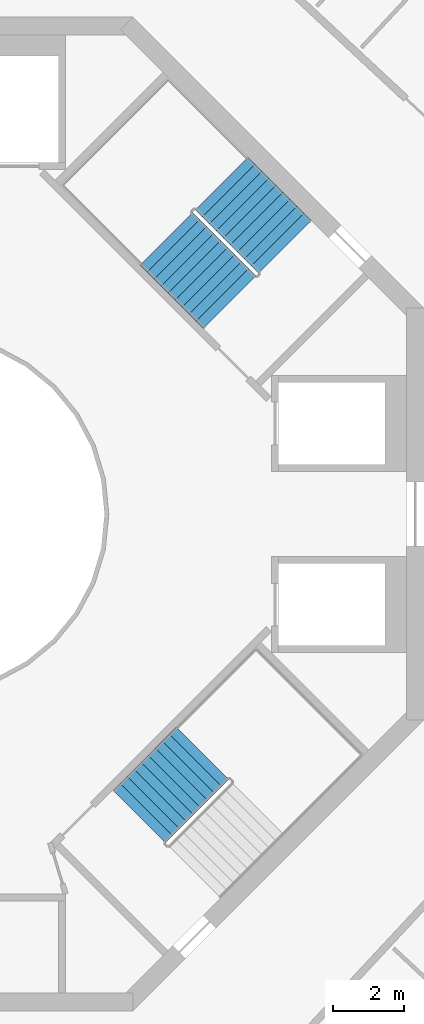
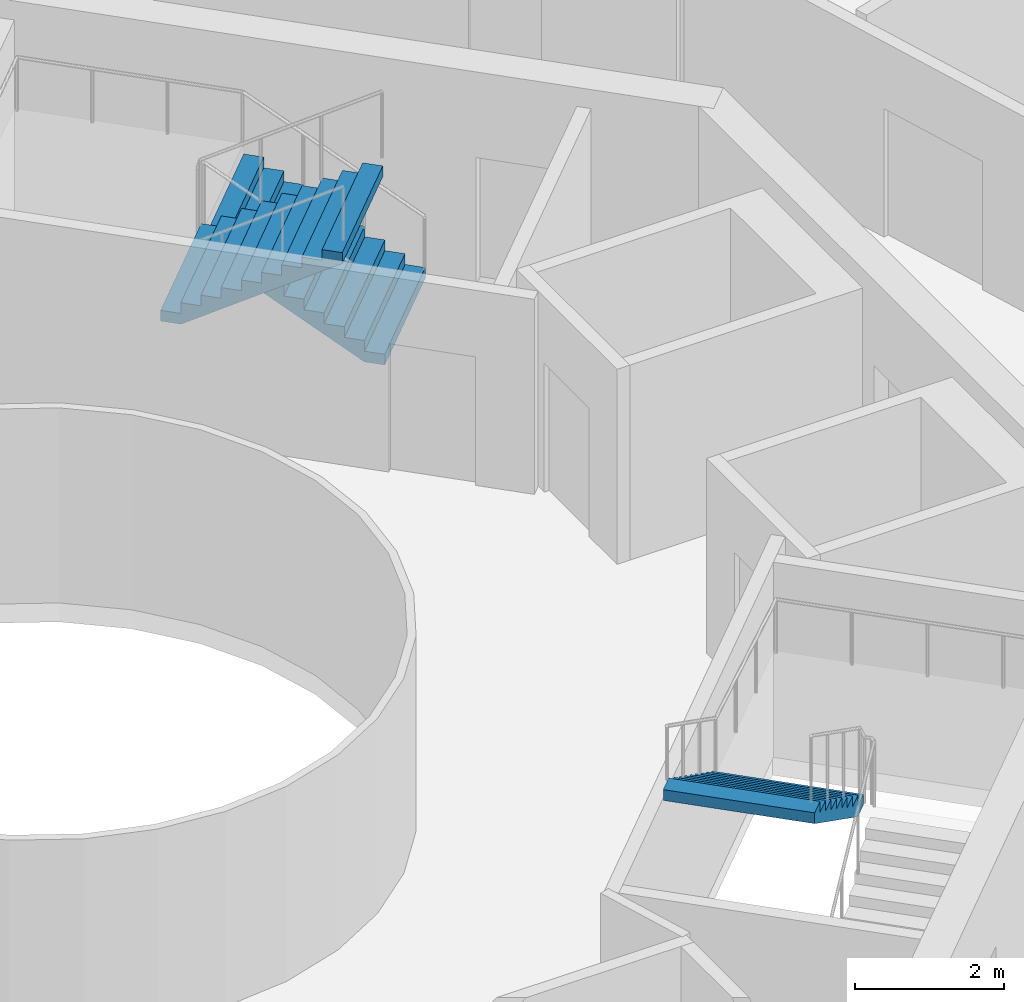
# One storey, part 20 of 21: 3 stair flights, 2 elements without a shape of their own.
"""IFC4 building model written with IfcOpenShell, lengths in metres."""

import ifcopenshell
import ifcopenshell.guid

model = None  # the IFC model being written
_history = None  # IfcOwnerHistory: only IFC2X3 demands one
_inside = {}  # id of a spatial element -> (the spatial element, [elements in it])
_under = {}  # id of a project, library or spatial element -> (it, [spatial elements below it])
_declared = {}  # id of a project -> (the project, [libraries it declares])
_typed = {}  # id of a type object -> (the type object, [elements of that type])
_made_of = {}  # id of a material, layer set ... -> (it, [elements and type objects made of it])


def new_model(schema):
    """Start an empty IFC model of exactly this schema.

    Asked for "IFC4X3", IfcOpenShell would pick the latest addendum, in which some entities
    have other attributes; the version numbers below select the first issue.
    IFC2X3 requires an IfcOwnerHistory on every rooted entity: one is made here for all.
    """
    global model, _history
    if schema == "IFC4X3":
        model = ifcopenshell.file(schema_version=(4, 3, 0, 0))
    else:
        model = ifcopenshell.file(schema=schema)
    _inside.clear()
    _under.clear()
    _declared.clear()
    _typed.clear()
    _made_of.clear()
    _history = None
    if model.schema == "IFC2X3":
        org = make("IfcOrganization", Name="unknown")
        user = make(
            "IfcPersonAndOrganization",
            ThePerson=make("IfcPerson", FamilyName="unknown"),
            TheOrganization=org,
        )
        app = make(
            "IfcApplication",
            ApplicationDeveloper=org,
            Version="unknown",
            ApplicationFullName="unknown",
            ApplicationIdentifier="unknown",
        )
        _history = make(
            "IfcOwnerHistory",
            OwningUser=user,
            OwningApplication=app,
            ChangeAction="ADDED",
            CreationDate=0,
        )
    return model


def make(cls, **values):
    """One entity of the class cls with the attributes given. An attribute that is None is left unset."""
    return model.create_entity(
        cls, **{name: value for name, value in values.items() if value is not None}
    )


def rooted(cls, **values):
    """An entity with a GlobalId (a new one), such as an element, a storey or a relation."""
    return make(cls, GlobalId=ifcopenshell.guid.new(), OwnerHistory=_history, **values)


def si_unit(unit_type, name, prefix=None):
    """IfcSIUnit, for example si_unit("LENGTHUNIT", "METRE", prefix="MILLI")."""
    return make("IfcSIUnit", UnitType=unit_type, Prefix=prefix, Name=name)


def assignment(units):
    """IfcUnitAssignment: the units of a project."""
    return None if units is None else make("IfcUnitAssignment", Units=units)


def point(xyz):
    """IfcCartesianPoint."""
    return None if xyz is None else make("IfcCartesianPoint", Coordinates=xyz)


def direction(xyz):
    """IfcDirection."""
    return None if xyz is None else make("IfcDirection", DirectionRatios=xyz)


def frame(location, z_axis=None, x_axis=None):
    """IfcAxis2Placement3D, a coordinate frame: its origin and axes. An axis left out is left unset."""
    return make(
        "IfcAxis2Placement3D",
        Location=point(location),
        Axis=direction(z_axis),
        RefDirection=direction(x_axis),
    )


def origin():
    """The frame at (0, 0, 0) with its axes left unset."""
    return frame((0.0, 0.0, 0.0))


def place(relative_to, where):
    """IfcLocalPlacement: puts the frame where relative to a parent placement (None: the world)."""
    return make(
        "IfcLocalPlacement", PlacementRelTo=relative_to, RelativePlacement=where
    )


def context(
    kind, dimensions, precision=None, world=None, true_north=None, identifier=None
):
    """IfcGeometricRepresentationContext, for example the 3D "Model" context."""
    return make(
        "IfcGeometricRepresentationContext",
        ContextIdentifier=identifier,
        ContextType=kind,
        CoordinateSpaceDimension=dimensions,
        Precision=precision,
        WorldCoordinateSystem=world,
        TrueNorth=true_north,
    )


def subcontext(parent, identifier, kind, view, scale=None):
    """IfcGeometricRepresentationSubContext, for example "Body" below "Model"."""
    return make(
        "IfcGeometricRepresentationSubContext",
        ContextIdentifier=identifier,
        ContextType=kind,
        ParentContext=parent,
        TargetScale=scale,
        TargetView=view,
    )


def project(units=None, contexts=None):
    """IfcProject with its units and contexts."""
    return rooted(
        "IfcProject",
        Name="project",
        RepresentationContexts=contexts,
        UnitsInContext=assignment(units),
    )


def spatial(cls, under=None, at=None, **own):
    """A site, building, storey or space (cls), placed at a placement, below another one or the project."""
    s = rooted(cls, ObjectPlacement=at, **own)
    if under is not None:
        _under.setdefault(under.id(), (under, []))[1].append(s)
    return s


def point_list(points):
    """IfcCartesianPointList2D or 3D."""
    cls = (
        "IfcCartesianPointList2D" if len(points[0]) == 2 else "IfcCartesianPointList3D"
    )
    return make(cls, CoordList=points)


def triangles(points, corners, closed=None, point_numbers=None):
    """IfcTriangulatedFaceSet: each triangle names its three corners, points numbered from 1."""
    return make(
        "IfcTriangulatedFaceSet",
        Coordinates=point_list(points),
        Closed=closed,
        CoordIndex=corners,
        PnIndex=point_numbers,
    )


def shape(context_of_items, identifier, shape_type, items):
    """IfcShapeRepresentation: the items that make up one representation, for example the "Body"."""
    return make(
        "IfcShapeRepresentation",
        ContextOfItems=context_of_items,
        RepresentationIdentifier=identifier,
        RepresentationType=shape_type,
        Items=items,
    )


def material(Name=None, Category=None):
    """IfcMaterial."""
    return make("IfcMaterial", Name=Name, Category=Category)


def made_of(thing, what):
    """Note that an element or type object is made of a material, layer set ...; save() writes the relation."""
    if what is not None:
        _made_of.setdefault(what.id(), (what, []))[1].append(thing)
    return thing


def type_object(cls, material=None, **own):
    """A type object (cls), such as IfcWallType, which elements share."""
    return made_of(rooted(cls, **own), material)


def element(
    cls,
    number,
    at=None,
    inside=None,
    cuts=None,
    type_object=None,
    material=None,
    context=None,
    identifier="Body",
    shape_type=None,
    held_by="IfcProductDefinitionShape",
    body=None,
    shapes=None,
    **own,
):
    """One element of the class cls, such as IfcWall. Its Tag is "e" and its number.

    at: its placement. inside: the storey or other place that contains it. cuts: it is an
    opening in that element (IfcRelVoidsElement). A single representation is given by context,
    identifier, shape_type and body (its items); several are given by shapes. held_by: the class
    of the entity that holds the representations. save() writes the other relations.
    """
    e = rooted(cls, Tag="e%d" % number, ObjectPlacement=at, **own)
    if body is not None:
        shapes = [shape(context, identifier, shape_type, body)]
    if shapes is not None:
        e.Representation = make(held_by, Representations=shapes)
    if inside is not None:
        _inside.setdefault(inside.id(), (inside, []))[1].append(e)
    if cuts is not None:
        rooted(
            "IfcRelVoidsElement", RelatingBuildingElement=cuts, RelatedOpeningElement=e
        )
    if type_object is not None:
        _typed.setdefault(type_object.id(), (type_object, []))[1].append(e)
    return made_of(e, material)


def aggregate(whole, parts):
    """IfcRelAggregates: a whole, such as a stair, and the parts it consists of."""
    return rooted("IfcRelAggregates", RelatingObject=whole, RelatedObjects=parts)


def save(model, path):
    """Write the relations noted so far, then the file.

    IfcRelAggregates (storeys below a building ...), IfcRelContainedInSpatialStructure (elements
    in a storey), IfcRelDefinesByType, IfcRelAssociatesMaterial and IfcRelDeclares: one each for
    every whole, place, type object, material and project.
    """
    for whole, parts in _under.values():
        aggregate(whole, parts)
    for where, things in _inside.values():
        rooted(
            "IfcRelContainedInSpatialStructure",
            RelatedElements=things,
            RelatingStructure=where,
        )
    for kind, things in _typed.values():
        rooted("IfcRelDefinesByType", RelatedObjects=things, RelatingType=kind)
    for what, things in _made_of.values():
        rooted("IfcRelAssociatesMaterial", RelatedObjects=things, RelatingMaterial=what)
    for by, libraries in _declared.values():
        rooted("IfcRelDeclares", RelatingContext=by, RelatedDefinitions=libraries)
    model.write(path)


model = new_model("IFC4")

# Units and contexts
model_context = context("Model", 3, precision=1e-05, world=origin(), true_north=direction((0.0, 1.0)))
body_context = subcontext(model_context, "Body", "Model", "MODEL_VIEW")
ifc_project = project(units=[si_unit("LENGTHUNIT", "METRE"), si_unit("AREAUNIT", "SQUARE_METRE"), si_unit("VOLUMEUNIT", "CUBIC_METRE"), si_unit("PLANEANGLEUNIT", "RADIAN"), si_unit("MASSUNIT", "GRAM", prefix="KILO")], contexts=[model_context])

# Site, building, storey
site_placement = place(None, origin())
site = spatial("IfcSite", under=ifc_project, at=site_placement, CompositionType="ELEMENT")
building_placement = place(site_placement, origin())
building = spatial("IfcBuilding", under=site, at=building_placement, Name="Verdalira Terraces Hotel", CompositionType="ELEMENT")
storey_placement = place(building_placement, frame((0.0, 0.0, 227.0)))
storey = spatial("IfcBuildingStorey", under=building, at=storey_placement, Name="L55", CompositionType="ELEMENT", Elevation=227.0)

# Stair, stair flights
ifc_material_1 = material(Name="Concrete C40", Category="concrete")
stair_type = type_object("IfcStairType", Name="Core stair 20 risers 2100 mm wide", PredefinedType="HALF_TURN_STAIR", material=ifc_material_1)
stair_1_placement = place(storey_placement, origin())
stair_1 = element("IfcStair", 1, at=stair_1_placement, inside=storey, type_object=stair_type, Name="L55 Exit stair ST1", PredefinedType="HALF_TURN_STAIR")
ifc_material_2 = material(Name="Concrete C40", Category="concrete")
stair_flight_type = type_object("IfcStairFlightType", Name="Core stair flight 20 risers 2100 mm wide", PredefinedType="STRAIGHT", material=ifc_material_2)
stair_flight_1_placement = place(storey_placement, frame((10.076172, 7.530762, 0.0), z_axis=(0.0, 0.0, 1.0), x_axis=(-0.707106781, 0.707106781, 0.0)))
stair_flight_1 = element("IfcStairFlight", 2, at=stair_flight_1_placement, type_object=stair_flight_type, Name="ST1 flight 1", NumberOfRisers=10, NumberOfTreads=9, PredefinedType="STRAIGHT", RiserHeight=0.175, TreadLength=0.28, context=body_context, shape_type="Tessellation", body=[
    triangles([(0.0, 1.050049, 0.0), (0.282715, 1.050049, 0.0), (2.52002, 1.050049, 1.398193), (0.0, -1.050049, 0.0), (0.282715, -1.050049, 0.0), (2.52002, -1.050049, 1.398193), (2.52002, 1.050049, 1.574951), (2.23999, 1.050049, 1.574951), (2.52002, -1.050049, 1.574951), (2.23999, -1.050049, 1.574951), (2.23999, 1.050049, 1.399902), (2.23999, -1.050049, 1.399902), (1.959961, 1.050049, 1.399902), (1.959961, -1.050049, 1.399902), (1.959961, 1.050049, 1.225098), (1.959961, -1.050049, 1.225098), (1.679932, 1.050049, 1.225098), (1.679932, 1.050049, 1.050049), (1.679932, -1.050049, 1.225098), (1.679932, -1.050049, 1.050049), (1.399902, 1.050049, 1.050049), (1.399902, 1.050049, 0.875), (1.399902, -1.050049, 1.050049), (1.399902, -1.050049, 0.875), (1.120117, 1.050049, 0.875), (1.120117, 1.050049, 0.699951), (1.120117, -1.050049, 0.875), (1.120117, -1.050049, 0.699951), (0.840088, 1.050049, 0.699951), (0.840088, 1.050049, 0.524902), (0.840088, -1.050049, 0.699951), (0.840088, -1.050049, 0.524902), (0.560059, 1.050049, 0.524902), (0.560059, 1.050049, 0.350098), (0.560059, -1.050049, 0.524902), (0.560059, -1.050049, 0.350098), (0.280029, 1.050049, 0.350098), (0.280029, 1.050049, 0.175049), (0.280029, -1.050049, 0.350098), (0.280029, -1.050049, 0.175049), (0.0, 1.050049, 0.175049), (0.0, -1.050049, 0.175049), (0.0, -0.984421, 0.0), (0.0, -0.984421, 0.175049), (0.0, -0.918793, 0.0), (0.0, -0.918793, 0.175049), (0.0, -0.853165, 0.0), (0.0, -0.853165, 0.175049), (0.0, -0.787537, 0.0), (0.0, -0.787537, 0.175049), (0.0, -0.721909, 0.0), (0.0, -0.721909, 0.175049), (0.0, -0.656281, 0.0), (0.0, -0.656281, 0.175049), (0.0, -0.590652, 0.0), (0.0, -0.590652, 0.175049), (0.0, -0.525024, 0.0), (0.0, -0.525024, 0.175049), (0.0, -0.459396, 0.0), (0.0, -0.459396, 0.175049), (0.0, -0.393768, 0.0), (0.0, -0.393768, 0.175049), (0.0, -0.32814, 0.0), (0.0, -0.32814, 0.175049), (0.0, -0.262512, 0.0), (0.0, -0.262512, 0.175049), (0.0, -0.196884, 0.0), (0.0, -0.196884, 0.175049), (0.0, -0.131256, 0.0), (0.0, -0.131256, 0.175049), (0.0, -0.065628, 0.0), (0.0, -0.065628, 0.175049), (0.0, 0.0, 0.0), (0.0, 0.0, 0.175049), (0.0, 0.065628, 0.0), (0.0, 0.065628, 0.175049), (0.0, 0.131256, 0.0), (0.0, 0.131256, 0.175049), (0.0, 0.196884, 0.0), (0.0, 0.196884, 0.175049), (0.0, 0.262512, 0.0), (0.0, 0.262512, 0.175049), (0.0, 0.32814, 0.0), (0.0, 0.32814, 0.175049), (0.0, 0.393768, 0.0), (0.0, 0.393768, 0.175049), (0.0, 0.459396, 0.0), (0.0, 0.459396, 0.175049), (0.0, 0.525024, 0.0), (0.0, 0.525024, 0.175049), (0.0, 0.590652, 0.0), (0.0, 0.590652, 0.175049), (0.0, 0.656281, 0.0), (0.0, 0.656281, 0.175049), (0.0, 0.721909, 0.0), (0.0, 0.721909, 0.175049), (0.0, 0.787537, 0.0), (0.0, 0.787537, 0.175049), (0.0, 0.853165, 0.0), (0.0, 0.853165, 0.175049), (0.0, 0.918793, 0.0), (0.0, 0.918793, 0.175049), (0.0, 0.984421, 0.0), (0.0, 0.984421, 0.175049), (2.52002, -0.984421, 1.574951), (2.52002, -0.918793, 1.574951), (2.52002, -0.853165, 1.574951), (2.52002, -0.787537, 1.574951), (2.52002, -0.721909, 1.574951), (2.52002, -0.656281, 1.574951), (2.52002, -0.590652, 1.574951), (2.52002, -0.525024, 1.574951), (2.52002, -0.459396, 1.574951), (2.52002, -0.393768, 1.574951), (2.52002, -0.32814, 1.574951), (2.52002, -0.262512, 1.574951), (2.52002, -0.196884, 1.574951), (2.52002, -0.131256, 1.574951), (2.52002, -0.065628, 1.574951), (2.52002, 0.0, 1.574951), (2.52002, 0.065628, 1.574951), (2.52002, 0.131256, 1.574951), (2.52002, 0.196884, 1.574951), (2.52002, 0.262512, 1.574951), (2.52002, 0.32814, 1.574951), (2.52002, 0.393768, 1.574951), (2.52002, 0.459396, 1.574951), (2.52002, 0.525024, 1.574951), (2.52002, 0.590652, 1.574951), (2.52002, 0.656281, 1.574951), (2.52002, 0.721909, 1.574951), (2.52002, 0.787537, 1.574951), (2.52002, 0.853165, 1.574951), (2.52002, 0.918793, 1.574951), (2.52002, 0.984421, 1.574951), (2.52002, -0.984421, 1.398193), (2.52002, -0.918793, 1.398193), (2.52002, -0.853165, 1.398193), (2.52002, -0.787537, 1.398193), (2.52002, -0.721909, 1.398193), (2.52002, -0.656281, 1.398193), (2.52002, -0.590652, 1.398193), (2.52002, -0.525024, 1.398193), (2.52002, -0.459396, 1.398193), (2.52002, -0.393768, 1.398193), (2.52002, -0.32814, 1.398193), (2.52002, -0.262512, 1.398193), (2.52002, -0.196884, 1.398193), (2.52002, -0.131256, 1.398193), (2.52002, -0.065628, 1.398193), (2.52002, 0.0, 1.398193), (2.52002, 0.065628, 1.398193), (2.52002, 0.131256, 1.398193), (2.52002, 0.196884, 1.398193), (2.52002, 0.262512, 1.398193), (2.52002, 0.32814, 1.398193), (2.52002, 0.393768, 1.398193), (2.52002, 0.459396, 1.398193), (2.52002, 0.525024, 1.398193), (2.52002, 0.590652, 1.398193), (2.52002, 0.656281, 1.398193), (2.52002, 0.721909, 1.398193), (2.52002, 0.787537, 1.398193), (2.52002, 0.853165, 1.398193), (2.52002, 0.918793, 1.398193), (2.52002, 0.984421, 1.398193)], [[1, 3, 2], [4, 5, 6], [3, 8, 7], [6, 9, 10], [3, 11, 8], [6, 10, 12], [3, 13, 11], [6, 12, 14], [3, 15, 13], [6, 14, 16], [15, 18, 17], [16, 19, 20], [3, 18, 15], [6, 16, 20], [18, 22, 21], [20, 23, 24], [3, 22, 18], [6, 20, 24], [22, 26, 25], [24, 27, 28], [3, 26, 22], [6, 24, 28], [26, 30, 29], [28, 31, 32], [3, 30, 26], [6, 28, 32], [1, 30, 3], [4, 6, 32], [30, 34, 33], [32, 35, 36], [34, 38, 37], [36, 39, 40], [30, 38, 34], [32, 36, 40], [1, 38, 30], [4, 32, 40], [38, 1, 41], [40, 42, 4], [4, 44, 43], [4, 42, 44], [43, 46, 45], [43, 44, 46], [45, 48, 47], [45, 46, 48], [47, 50, 49], [47, 48, 50], [49, 52, 51], [49, 50, 52], [51, 54, 53], [51, 52, 54], [53, 56, 55], [53, 54, 56], [55, 58, 57], [55, 56, 58], [57, 60, 59], [57, 58, 60], [59, 62, 61], [59, 60, 62], [61, 64, 63], [61, 62, 64], [63, 66, 65], [63, 64, 66], [65, 68, 67], [65, 66, 68], [67, 70, 69], [67, 68, 70], [69, 72, 71], [69, 70, 72], [71, 74, 73], [71, 72, 74], [73, 76, 75], [73, 74, 76], [75, 78, 77], [75, 76, 78], [77, 80, 79], [77, 78, 80], [79, 82, 81], [79, 80, 82], [81, 84, 83], [81, 82, 84], [83, 86, 85], [83, 84, 86], [85, 88, 87], [85, 86, 88], [87, 90, 89], [87, 88, 90], [89, 92, 91], [89, 90, 92], [91, 94, 93], [91, 92, 94], [93, 96, 95], [93, 94, 96], [95, 98, 97], [95, 96, 98], [97, 100, 99], [97, 98, 100], [99, 102, 101], [99, 100, 102], [101, 104, 103], [101, 102, 104], [103, 41, 1], [103, 104, 41], [42, 40, 44], [44, 40, 46], [46, 40, 48], [48, 40, 50], [50, 40, 52], [52, 40, 54], [54, 40, 56], [56, 40, 58], [58, 40, 60], [60, 40, 62], [62, 40, 64], [64, 40, 66], [66, 40, 68], [68, 40, 70], [70, 40, 72], [72, 40, 74], [74, 40, 76], [76, 40, 78], [78, 40, 80], [80, 40, 82], [82, 40, 84], [84, 40, 86], [86, 40, 88], [88, 40, 90], [90, 40, 92], [92, 40, 94], [94, 40, 96], [96, 40, 98], [98, 40, 100], [100, 40, 102], [102, 40, 104], [104, 40, 41], [41, 40, 38], [40, 37, 38], [40, 39, 37], [39, 34, 37], [39, 36, 34], [36, 33, 34], [36, 35, 33], [35, 30, 33], [35, 32, 30], [32, 29, 30], [32, 31, 29], [31, 26, 29], [31, 28, 26], [28, 25, 26], [28, 27, 25], [27, 22, 25], [27, 24, 22], [24, 21, 22], [24, 23, 21], [23, 18, 21], [23, 20, 18], [20, 17, 18], [20, 19, 17], [19, 15, 17], [19, 16, 15], [16, 13, 15], [16, 14, 13], [14, 11, 13], [14, 12, 11], [12, 8, 11], [12, 10, 8], [9, 105, 10], [105, 106, 10], [106, 107, 10], [107, 108, 10], [108, 109, 10], [109, 110, 10], [110, 111, 10], [111, 112, 10], [112, 113, 10], [113, 114, 10], [114, 115, 10], [115, 116, 10], [116, 117, 10], [117, 118, 10], [118, 119, 10], [119, 120, 10], [120, 121, 10], [121, 122, 10], [122, 123, 10], [123, 124, 10], [124, 125, 10], [125, 126, 10], [126, 127, 10], [127, 128, 10], [128, 129, 10], [129, 130, 10], [130, 131, 10], [131, 132, 10], [132, 133, 10], [133, 134, 10], [134, 135, 10], [135, 7, 10], [7, 8, 10], [9, 136, 105], [9, 6, 136], [105, 137, 106], [105, 136, 137], [106, 138, 107], [106, 137, 138], [107, 139, 108], [107, 138, 139], [108, 140, 109], [108, 139, 140], [109, 141, 110], [109, 140, 141], [110, 142, 111], [110, 141, 142], [111, 143, 112], [111, 142, 143], [112, 144, 113], [112, 143, 144], [113, 145, 114], [113, 144, 145], [114, 146, 115], [114, 145, 146], [115, 147, 116], [115, 146, 147], [116, 148, 117], [116, 147, 148], [117, 149, 118], [117, 148, 149], [118, 150, 119], [118, 149, 150], [119, 151, 120], [119, 150, 151], [120, 152, 121], [120, 151, 152], [121, 153, 122], [121, 152, 153], [122, 154, 123], [122, 153, 154], [123, 155, 124], [123, 154, 155], [124, 156, 125], [124, 155, 156], [125, 157, 126], [125, 156, 157], [126, 158, 127], [126, 157, 158], [127, 159, 128], [127, 158, 159], [128, 160, 129], [128, 159, 160], [129, 161, 130], [129, 160, 161], [130, 162, 131], [130, 161, 162], [131, 163, 132], [131, 162, 163], [132, 164, 133], [132, 163, 164], [133, 165, 134], [133, 164, 165], [134, 166, 135], [134, 165, 166], [135, 3, 7], [135, 166, 3], [6, 5, 136], [136, 5, 137], [137, 5, 138], [138, 5, 139], [139, 5, 140], [140, 5, 141], [141, 5, 142], [142, 5, 143], [143, 5, 144], [144, 5, 145], [145, 5, 146], [146, 5, 147], [147, 5, 148], [148, 5, 149], [149, 5, 150], [150, 5, 151], [151, 5, 152], [152, 5, 153], [153, 5, 154], [154, 5, 155], [155, 5, 156], [156, 5, 157], [157, 5, 158], [158, 5, 159], [159, 5, 160], [160, 5, 161], [161, 5, 162], [162, 5, 163], [163, 5, 164], [164, 5, 165], [165, 5, 166], [166, 5, 3], [3, 5, 2], [4, 43, 5], [43, 45, 5], [45, 47, 5], [47, 49, 5], [49, 51, 5], [51, 53, 5], [53, 55, 5], [55, 57, 5], [57, 59, 5], [59, 61, 5], [61, 63, 5], [63, 65, 5], [65, 67, 5], [67, 69, 5], [69, 71, 5], [71, 73, 5], [73, 75, 5], [75, 77, 5], [77, 79, 5], [79, 81, 5], [81, 83, 5], [83, 85, 5], [85, 87, 5], [87, 89, 5], [89, 91, 5], [91, 93, 5], [93, 95, 5], [95, 97, 5], [97, 99, 5], [99, 101, 5], [101, 103, 5], [103, 1, 5], [1, 2, 5]], closed=True),
])
stair_flight_2_placement = place(storey_placement, frame((6.73877, 7.75708, 1.75), z_axis=(0.0, 0.0, 1.0), x_axis=(0.707106781, -0.707106781, 0.0)))
stair_flight_2 = element("IfcStairFlight", 3, at=stair_flight_2_placement, type_object=stair_flight_type, Name="ST1 flight 2", NumberOfRisers=10, NumberOfTreads=9, PredefinedType="STRAIGHT", RiserHeight=0.175, TreadLength=0.28, context=body_context, shape_type="Tessellation", body=[
    triangles([(0.0, 1.050049, 0.0), (0.282715, 1.050049, 0.0), (2.52002, 1.050049, 1.398193), (0.0, -1.050049, 0.0), (0.282715, -1.050049, 0.0), (2.52002, -1.050049, 1.398193), (2.52002, 1.050049, 1.574951), (2.23999, 1.050049, 1.574951), (2.52002, -1.050049, 1.574951), (2.23999, -1.050049, 1.574951), (2.23999, 1.050049, 1.399902), (2.23999, -1.050049, 1.399902), (1.959961, 1.050049, 1.399902), (1.959961, -1.050049, 1.399902), (1.959961, 1.050049, 1.225098), (1.959961, -1.050049, 1.225098), (1.679932, 1.050049, 1.225098), (1.679932, 1.050049, 1.050049), (1.679932, -1.050049, 1.225098), (1.679932, -1.050049, 1.050049), (1.399902, 1.050049, 1.050049), (1.399902, 1.050049, 0.875), (1.399902, -1.050049, 1.050049), (1.399902, -1.050049, 0.875), (1.120117, 1.050049, 0.875), (1.120117, 1.050049, 0.699951), (1.120117, -1.050049, 0.875), (1.120117, -1.050049, 0.699951), (0.840088, 1.050049, 0.699951), (0.840088, 1.050049, 0.524902), (0.840088, -1.050049, 0.699951), (0.840088, -1.050049, 0.524902), (0.560059, 1.050049, 0.524902), (0.560059, 1.050049, 0.350098), (0.560059, -1.050049, 0.524902), (0.560059, -1.050049, 0.350098), (0.280029, 1.050049, 0.350098), (0.280029, 1.050049, 0.175049), (0.280029, -1.050049, 0.350098), (0.280029, -1.050049, 0.175049), (0.0, 1.050049, 0.175049), (0.0, -1.050049, 0.175049), (0.0, -0.984421, 0.0), (0.0, -0.984421, 0.175049), (0.0, -0.918793, 0.0), (0.0, -0.918793, 0.175049), (0.0, -0.853165, 0.0), (0.0, -0.853165, 0.175049), (0.0, -0.787537, 0.0), (0.0, -0.787537, 0.175049), (0.0, -0.721909, 0.0), (0.0, -0.721909, 0.175049), (0.0, -0.656281, 0.0), (0.0, -0.656281, 0.175049), (0.0, -0.590652, 0.0), (0.0, -0.590652, 0.175049), (0.0, -0.525024, 0.0), (0.0, -0.525024, 0.175049), (0.0, -0.459396, 0.0), (0.0, -0.459396, 0.175049), (0.0, -0.393768, 0.0), (0.0, -0.393768, 0.175049), (0.0, -0.32814, 0.0), (0.0, -0.32814, 0.175049), (0.0, -0.262512, 0.0), (0.0, -0.262512, 0.175049), (0.0, -0.196884, 0.0), (0.0, -0.196884, 0.175049), (0.0, -0.131256, 0.0), (0.0, -0.131256, 0.175049), (0.0, -0.065628, 0.0), (0.0, -0.065628, 0.175049), (0.0, 0.0, 0.0), (0.0, 0.0, 0.175049), (0.0, 0.065628, 0.0), (0.0, 0.065628, 0.175049), (0.0, 0.131256, 0.0), (0.0, 0.131256, 0.175049), (0.0, 0.196884, 0.0), (0.0, 0.196884, 0.175049), (0.0, 0.262512, 0.0), (0.0, 0.262512, 0.175049), (0.0, 0.32814, 0.0), (0.0, 0.32814, 0.175049), (0.0, 0.393768, 0.0), (0.0, 0.393768, 0.175049), (0.0, 0.459396, 0.0), (0.0, 0.459396, 0.175049), (0.0, 0.525024, 0.0), (0.0, 0.525024, 0.175049), (0.0, 0.590652, 0.0), (0.0, 0.590652, 0.175049), (0.0, 0.656281, 0.0), (0.0, 0.656281, 0.175049), (0.0, 0.721909, 0.0), (0.0, 0.721909, 0.175049), (0.0, 0.787537, 0.0), (0.0, 0.787537, 0.175049), (0.0, 0.853165, 0.0), (0.0, 0.853165, 0.175049), (0.0, 0.918793, 0.0), (0.0, 0.918793, 0.175049), (0.0, 0.984421, 0.0), (0.0, 0.984421, 0.175049), (2.52002, -0.984421, 1.574951), (2.52002, -0.918793, 1.574951), (2.52002, -0.853165, 1.574951), (2.52002, -0.787537, 1.574951), (2.52002, -0.721909, 1.574951), (2.52002, -0.656281, 1.574951), (2.52002, -0.590652, 1.574951), (2.52002, -0.525024, 1.574951), (2.52002, -0.459396, 1.574951), (2.52002, -0.393768, 1.574951), (2.52002, -0.32814, 1.574951), (2.52002, -0.262512, 1.574951), (2.52002, -0.196884, 1.574951), (2.52002, -0.131256, 1.574951), (2.52002, -0.065628, 1.574951), (2.52002, 0.0, 1.574951), (2.52002, 0.065628, 1.574951), (2.52002, 0.131256, 1.574951), (2.52002, 0.196884, 1.574951), (2.52002, 0.262512, 1.574951), (2.52002, 0.32814, 1.574951), (2.52002, 0.393768, 1.574951), (2.52002, 0.459396, 1.574951), (2.52002, 0.525024, 1.574951), (2.52002, 0.590652, 1.574951), (2.52002, 0.656281, 1.574951), (2.52002, 0.721909, 1.574951), (2.52002, 0.787537, 1.574951), (2.52002, 0.853165, 1.574951), (2.52002, 0.918793, 1.574951), (2.52002, 0.984421, 1.574951), (2.52002, -0.984421, 1.398193), (2.52002, -0.918793, 1.398193), (2.52002, -0.853165, 1.398193), (2.52002, -0.787537, 1.398193), (2.52002, -0.721909, 1.398193), (2.52002, -0.656281, 1.398193), (2.52002, -0.590652, 1.398193), (2.52002, -0.525024, 1.398193), (2.52002, -0.459396, 1.398193), (2.52002, -0.393768, 1.398193), (2.52002, -0.32814, 1.398193), (2.52002, -0.262512, 1.398193), (2.52002, -0.196884, 1.398193), (2.52002, -0.131256, 1.398193), (2.52002, -0.065628, 1.398193), (2.52002, 0.0, 1.398193), (2.52002, 0.065628, 1.398193), (2.52002, 0.131256, 1.398193), (2.52002, 0.196884, 1.398193), (2.52002, 0.262512, 1.398193), (2.52002, 0.32814, 1.398193), (2.52002, 0.393768, 1.398193), (2.52002, 0.459396, 1.398193), (2.52002, 0.525024, 1.398193), (2.52002, 0.590652, 1.398193), (2.52002, 0.656281, 1.398193), (2.52002, 0.721909, 1.398193), (2.52002, 0.787537, 1.398193), (2.52002, 0.853165, 1.398193), (2.52002, 0.918793, 1.398193), (2.52002, 0.984421, 1.398193)], [[1, 3, 2], [4, 5, 6], [3, 8, 7], [6, 9, 10], [3, 11, 8], [6, 10, 12], [3, 13, 11], [6, 12, 14], [3, 15, 13], [6, 14, 16], [15, 18, 17], [16, 19, 20], [3, 18, 15], [6, 16, 20], [18, 22, 21], [20, 23, 24], [3, 22, 18], [6, 20, 24], [22, 26, 25], [24, 27, 28], [3, 26, 22], [6, 24, 28], [26, 30, 29], [28, 31, 32], [3, 30, 26], [6, 28, 32], [1, 30, 3], [4, 6, 32], [30, 34, 33], [32, 35, 36], [34, 38, 37], [36, 39, 40], [30, 38, 34], [32, 36, 40], [1, 38, 30], [4, 32, 40], [38, 1, 41], [40, 42, 4], [4, 44, 43], [4, 42, 44], [43, 46, 45], [43, 44, 46], [45, 48, 47], [45, 46, 48], [47, 50, 49], [47, 48, 50], [49, 52, 51], [49, 50, 52], [51, 54, 53], [51, 52, 54], [53, 56, 55], [53, 54, 56], [55, 58, 57], [55, 56, 58], [57, 60, 59], [57, 58, 60], [59, 62, 61], [59, 60, 62], [61, 64, 63], [61, 62, 64], [63, 66, 65], [63, 64, 66], [65, 68, 67], [65, 66, 68], [67, 70, 69], [67, 68, 70], [69, 72, 71], [69, 70, 72], [71, 74, 73], [71, 72, 74], [73, 76, 75], [73, 74, 76], [75, 78, 77], [75, 76, 78], [77, 80, 79], [77, 78, 80], [79, 82, 81], [79, 80, 82], [81, 84, 83], [81, 82, 84], [83, 86, 85], [83, 84, 86], [85, 88, 87], [85, 86, 88], [87, 90, 89], [87, 88, 90], [89, 92, 91], [89, 90, 92], [91, 94, 93], [91, 92, 94], [93, 96, 95], [93, 94, 96], [95, 98, 97], [95, 96, 98], [97, 100, 99], [97, 98, 100], [99, 102, 101], [99, 100, 102], [101, 104, 103], [101, 102, 104], [103, 41, 1], [103, 104, 41], [42, 40, 44], [44, 40, 46], [46, 40, 48], [48, 40, 50], [50, 40, 52], [52, 40, 54], [54, 40, 56], [56, 40, 58], [58, 40, 60], [60, 40, 62], [62, 40, 64], [64, 40, 66], [66, 40, 68], [68, 40, 70], [70, 40, 72], [72, 40, 74], [74, 40, 76], [76, 40, 78], [78, 40, 80], [80, 40, 82], [82, 40, 84], [84, 40, 86], [86, 40, 88], [88, 40, 90], [90, 40, 92], [92, 40, 94], [94, 40, 96], [96, 40, 98], [98, 40, 100], [100, 40, 102], [102, 40, 104], [104, 40, 41], [41, 40, 38], [40, 37, 38], [40, 39, 37], [39, 34, 37], [39, 36, 34], [36, 33, 34], [36, 35, 33], [35, 30, 33], [35, 32, 30], [32, 29, 30], [32, 31, 29], [31, 26, 29], [31, 28, 26], [28, 25, 26], [28, 27, 25], [27, 22, 25], [27, 24, 22], [24, 21, 22], [24, 23, 21], [23, 18, 21], [23, 20, 18], [20, 17, 18], [20, 19, 17], [19, 15, 17], [19, 16, 15], [16, 13, 15], [16, 14, 13], [14, 11, 13], [14, 12, 11], [12, 8, 11], [12, 10, 8], [9, 105, 10], [105, 106, 10], [106, 107, 10], [107, 108, 10], [108, 109, 10], [109, 110, 10], [110, 111, 10], [111, 112, 10], [112, 113, 10], [113, 114, 10], [114, 115, 10], [115, 116, 10], [116, 117, 10], [117, 118, 10], [118, 119, 10], [119, 120, 10], [120, 121, 10], [121, 122, 10], [122, 123, 10], [123, 124, 10], [124, 125, 10], [125, 126, 10], [126, 127, 10], [127, 128, 10], [128, 129, 10], [129, 130, 10], [130, 131, 10], [131, 132, 10], [132, 133, 10], [133, 134, 10], [134, 135, 10], [135, 7, 10], [7, 8, 10], [9, 136, 105], [9, 6, 136], [105, 137, 106], [105, 136, 137], [106, 138, 107], [106, 137, 138], [107, 139, 108], [107, 138, 139], [108, 140, 109], [108, 139, 140], [109, 141, 110], [109, 140, 141], [110, 142, 111], [110, 141, 142], [111, 143, 112], [111, 142, 143], [112, 144, 113], [112, 143, 144], [113, 145, 114], [113, 144, 145], [114, 146, 115], [114, 145, 146], [115, 147, 116], [115, 146, 147], [116, 148, 117], [116, 147, 148], [117, 149, 118], [117, 148, 149], [118, 150, 119], [118, 149, 150], [119, 151, 120], [119, 150, 151], [120, 152, 121], [120, 151, 152], [121, 153, 122], [121, 152, 153], [122, 154, 123], [122, 153, 154], [123, 155, 124], [123, 154, 155], [124, 156, 125], [124, 155, 156], [125, 157, 126], [125, 156, 157], [126, 158, 127], [126, 157, 158], [127, 159, 128], [127, 158, 159], [128, 160, 129], [128, 159, 160], [129, 161, 130], [129, 160, 161], [130, 162, 131], [130, 161, 162], [131, 163, 132], [131, 162, 163], [132, 164, 133], [132, 163, 164], [133, 165, 134], [133, 164, 165], [134, 166, 135], [134, 165, 166], [135, 3, 7], [135, 166, 3], [6, 5, 136], [136, 5, 137], [137, 5, 138], [138, 5, 139], [139, 5, 140], [140, 5, 141], [141, 5, 142], [142, 5, 143], [143, 5, 144], [144, 5, 145], [145, 5, 146], [146, 5, 147], [147, 5, 148], [148, 5, 149], [149, 5, 150], [150, 5, 151], [151, 5, 152], [152, 5, 153], [153, 5, 154], [154, 5, 155], [155, 5, 156], [156, 5, 157], [157, 5, 158], [158, 5, 159], [159, 5, 160], [160, 5, 161], [161, 5, 162], [162, 5, 163], [163, 5, 164], [164, 5, 165], [165, 5, 166], [166, 5, 3], [3, 5, 2], [4, 43, 5], [43, 45, 5], [45, 47, 5], [47, 49, 5], [49, 51, 5], [51, 53, 5], [53, 55, 5], [55, 57, 5], [57, 59, 5], [59, 61, 5], [61, 63, 5], [63, 65, 5], [65, 67, 5], [67, 69, 5], [69, 71, 5], [71, 73, 5], [73, 75, 5], [75, 77, 5], [77, 79, 5], [79, 81, 5], [81, 83, 5], [83, 85, 5], [85, 87, 5], [87, 89, 5], [89, 91, 5], [91, 93, 5], [93, 95, 5], [95, 97, 5], [97, 99, 5], [99, 101, 5], [101, 103, 5], [103, 1, 5], [1, 2, 5]], closed=True),
])
aggregate(stair_1, [stair_flight_1, stair_flight_2])

# Stair, stair flight
stair_2_placement = place(storey_placement, origin())
stair_2 = element("IfcStair", 4, at=stair_2_placement, inside=storey, type_object=stair_type, Name="L55 Exit stair ST3", PredefinedType="HALF_TURN_STAIR")
stair_flight_3_placement = place(storey_placement, frame((7.75708, -6.73877, 1.75), z_axis=(0.0, 0.0, 1.0), x_axis=(-0.707106781, -0.707106781, 0.0)))
stair_flight_3 = element("IfcStairFlight", 5, at=stair_flight_3_placement, type_object=stair_flight_type, Name="ST3 flight 2", NumberOfRisers=10, NumberOfTreads=9, PredefinedType="STRAIGHT", RiserHeight=0.175, TreadLength=0.28, context=body_context, shape_type="Tessellation", body=[
    triangles([(0.0, 1.050049, 0.0), (0.282715, 1.050049, 0.0), (2.52002, 1.050049, 1.398193), (0.0, -1.050049, 0.0), (0.282715, -1.050049, 0.0), (2.52002, -1.050049, 1.398193), (2.52002, 1.050049, 1.574951), (2.23999, 1.050049, 1.574951), (2.52002, -1.050049, 1.574951), (2.23999, -1.050049, 1.574951), (2.23999, 1.050049, 1.399902), (2.23999, -1.050049, 1.399902), (1.959961, 1.050049, 1.399902), (1.959961, -1.050049, 1.399902), (1.959961, 1.050049, 1.225098), (1.959961, -1.050049, 1.225098), (1.679932, 1.050049, 1.225098), (1.679932, 1.050049, 1.050049), (1.679932, -1.050049, 1.225098), (1.679932, -1.050049, 1.050049), (1.399902, 1.050049, 1.050049), (1.399902, 1.050049, 0.875), (1.399902, -1.050049, 1.050049), (1.399902, -1.050049, 0.875), (1.120117, 1.050049, 0.875), (1.120117, 1.050049, 0.699951), (1.120117, -1.050049, 0.875), (1.120117, -1.050049, 0.699951), (0.840088, 1.050049, 0.699951), (0.840088, 1.050049, 0.524902), (0.840088, -1.050049, 0.699951), (0.840088, -1.050049, 0.524902), (0.560059, 1.050049, 0.524902), (0.560059, 1.050049, 0.350098), (0.560059, -1.050049, 0.524902), (0.560059, -1.050049, 0.350098), (0.280029, 1.050049, 0.350098), (0.280029, 1.050049, 0.175049), (0.280029, -1.050049, 0.350098), (0.280029, -1.050049, 0.175049), (0.0, 1.050049, 0.175049), (0.0, -1.050049, 0.175049), (0.0, -0.984421, 0.0), (0.0, -0.984421, 0.175049), (0.0, -0.918793, 0.0), (0.0, -0.918793, 0.175049), (0.0, -0.853165, 0.0), (0.0, -0.853165, 0.175049), (0.0, -0.787537, 0.0), (0.0, -0.787537, 0.175049), (0.0, -0.721909, 0.0), (0.0, -0.721909, 0.175049), (0.0, -0.656281, 0.0), (0.0, -0.656281, 0.175049), (0.0, -0.590652, 0.0), (0.0, -0.590652, 0.175049), (0.0, -0.525024, 0.0), (0.0, -0.525024, 0.175049), (0.0, -0.459396, 0.0), (0.0, -0.459396, 0.175049), (0.0, -0.393768, 0.0), (0.0, -0.393768, 0.175049), (0.0, -0.32814, 0.0), (0.0, -0.32814, 0.175049), (0.0, -0.262512, 0.0), (0.0, -0.262512, 0.175049), (0.0, -0.196884, 0.0), (0.0, -0.196884, 0.175049), (0.0, -0.131256, 0.0), (0.0, -0.131256, 0.175049), (0.0, -0.065628, 0.0), (0.0, -0.065628, 0.175049), (0.0, 0.0, 0.0), (0.0, 0.0, 0.175049), (0.0, 0.065628, 0.0), (0.0, 0.065628, 0.175049), (0.0, 0.131256, 0.0), (0.0, 0.131256, 0.175049), (0.0, 0.196884, 0.0), (0.0, 0.196884, 0.175049), (0.0, 0.262512, 0.0), (0.0, 0.262512, 0.175049), (0.0, 0.32814, 0.0), (0.0, 0.32814, 0.175049), (0.0, 0.393768, 0.0), (0.0, 0.393768, 0.175049), (0.0, 0.459396, 0.0), (0.0, 0.459396, 0.175049), (0.0, 0.525024, 0.0), (0.0, 0.525024, 0.175049), (0.0, 0.590652, 0.0), (0.0, 0.590652, 0.175049), (0.0, 0.656281, 0.0), (0.0, 0.656281, 0.175049), (0.0, 0.721909, 0.0), (0.0, 0.721909, 0.175049), (0.0, 0.787537, 0.0), (0.0, 0.787537, 0.175049), (0.0, 0.853165, 0.0), (0.0, 0.853165, 0.175049), (0.0, 0.918793, 0.0), (0.0, 0.918793, 0.175049), (0.0, 0.984421, 0.0), (0.0, 0.984421, 0.175049), (2.52002, -0.984421, 1.574951), (2.52002, -0.918793, 1.574951), (2.52002, -0.853165, 1.574951), (2.52002, -0.787537, 1.574951), (2.52002, -0.721909, 1.574951), (2.52002, -0.656281, 1.574951), (2.52002, -0.590652, 1.574951), (2.52002, -0.525024, 1.574951), (2.52002, -0.459396, 1.574951), (2.52002, -0.393768, 1.574951), (2.52002, -0.32814, 1.574951), (2.52002, -0.262512, 1.574951), (2.52002, -0.196884, 1.574951), (2.52002, -0.131256, 1.574951), (2.52002, -0.065628, 1.574951), (2.52002, 0.0, 1.574951), (2.52002, 0.065628, 1.574951), (2.52002, 0.131256, 1.574951), (2.52002, 0.196884, 1.574951), (2.52002, 0.262512, 1.574951), (2.52002, 0.32814, 1.574951), (2.52002, 0.393768, 1.574951), (2.52002, 0.459396, 1.574951), (2.52002, 0.525024, 1.574951), (2.52002, 0.590652, 1.574951), (2.52002, 0.656281, 1.574951), (2.52002, 0.721909, 1.574951), (2.52002, 0.787537, 1.574951), (2.52002, 0.853165, 1.574951), (2.52002, 0.918793, 1.574951), (2.52002, 0.984421, 1.574951), (2.52002, -0.984421, 1.398193), (2.52002, -0.918793, 1.398193), (2.52002, -0.853165, 1.398193), (2.52002, -0.787537, 1.398193), (2.52002, -0.721909, 1.398193), (2.52002, -0.656281, 1.398193), (2.52002, -0.590652, 1.398193), (2.52002, -0.525024, 1.398193), (2.52002, -0.459396, 1.398193), (2.52002, -0.393768, 1.398193), (2.52002, -0.32814, 1.398193), (2.52002, -0.262512, 1.398193), (2.52002, -0.196884, 1.398193), (2.52002, -0.131256, 1.398193), (2.52002, -0.065628, 1.398193), (2.52002, 0.0, 1.398193), (2.52002, 0.065628, 1.398193), (2.52002, 0.131256, 1.398193), (2.52002, 0.196884, 1.398193), (2.52002, 0.262512, 1.398193), (2.52002, 0.32814, 1.398193), (2.52002, 0.393768, 1.398193), (2.52002, 0.459396, 1.398193), (2.52002, 0.525024, 1.398193), (2.52002, 0.590652, 1.398193), (2.52002, 0.656281, 1.398193), (2.52002, 0.721909, 1.398193), (2.52002, 0.787537, 1.398193), (2.52002, 0.853165, 1.398193), (2.52002, 0.918793, 1.398193), (2.52002, 0.984421, 1.398193)], [[1, 3, 2], [4, 5, 6], [3, 8, 7], [6, 9, 10], [3, 11, 8], [6, 10, 12], [3, 13, 11], [6, 12, 14], [3, 15, 13], [6, 14, 16], [15, 18, 17], [16, 19, 20], [3, 18, 15], [6, 16, 20], [18, 22, 21], [20, 23, 24], [3, 22, 18], [6, 20, 24], [22, 26, 25], [24, 27, 28], [3, 26, 22], [6, 24, 28], [26, 30, 29], [28, 31, 32], [3, 30, 26], [6, 28, 32], [1, 30, 3], [4, 6, 32], [30, 34, 33], [32, 35, 36], [34, 38, 37], [36, 39, 40], [30, 38, 34], [32, 36, 40], [1, 38, 30], [4, 32, 40], [38, 1, 41], [40, 42, 4], [4, 44, 43], [4, 42, 44], [43, 46, 45], [43, 44, 46], [45, 48, 47], [45, 46, 48], [47, 50, 49], [47, 48, 50], [49, 52, 51], [49, 50, 52], [51, 54, 53], [51, 52, 54], [53, 56, 55], [53, 54, 56], [55, 58, 57], [55, 56, 58], [57, 60, 59], [57, 58, 60], [59, 62, 61], [59, 60, 62], [61, 64, 63], [61, 62, 64], [63, 66, 65], [63, 64, 66], [65, 68, 67], [65, 66, 68], [67, 70, 69], [67, 68, 70], [69, 72, 71], [69, 70, 72], [71, 74, 73], [71, 72, 74], [73, 76, 75], [73, 74, 76], [75, 78, 77], [75, 76, 78], [77, 80, 79], [77, 78, 80], [79, 82, 81], [79, 80, 82], [81, 84, 83], [81, 82, 84], [83, 86, 85], [83, 84, 86], [85, 88, 87], [85, 86, 88], [87, 90, 89], [87, 88, 90], [89, 92, 91], [89, 90, 92], [91, 94, 93], [91, 92, 94], [93, 96, 95], [93, 94, 96], [95, 98, 97], [95, 96, 98], [97, 100, 99], [97, 98, 100], [99, 102, 101], [99, 100, 102], [101, 104, 103], [101, 102, 104], [103, 41, 1], [103, 104, 41], [42, 40, 44], [44, 40, 46], [46, 40, 48], [48, 40, 50], [50, 40, 52], [52, 40, 54], [54, 40, 56], [56, 40, 58], [58, 40, 60], [60, 40, 62], [62, 40, 64], [64, 40, 66], [66, 40, 68], [68, 40, 70], [70, 40, 72], [72, 40, 74], [74, 40, 76], [76, 40, 78], [78, 40, 80], [80, 40, 82], [82, 40, 84], [84, 40, 86], [86, 40, 88], [88, 40, 90], [90, 40, 92], [92, 40, 94], [94, 40, 96], [96, 40, 98], [98, 40, 100], [100, 40, 102], [102, 40, 104], [104, 40, 41], [41, 40, 38], [40, 37, 38], [40, 39, 37], [39, 34, 37], [39, 36, 34], [36, 33, 34], [36, 35, 33], [35, 30, 33], [35, 32, 30], [32, 29, 30], [32, 31, 29], [31, 26, 29], [31, 28, 26], [28, 25, 26], [28, 27, 25], [27, 22, 25], [27, 24, 22], [24, 21, 22], [24, 23, 21], [23, 18, 21], [23, 20, 18], [20, 17, 18], [20, 19, 17], [19, 15, 17], [19, 16, 15], [16, 13, 15], [16, 14, 13], [14, 11, 13], [14, 12, 11], [12, 8, 11], [12, 10, 8], [9, 105, 10], [105, 106, 10], [106, 107, 10], [107, 108, 10], [108, 109, 10], [109, 110, 10], [110, 111, 10], [111, 112, 10], [112, 113, 10], [113, 114, 10], [114, 115, 10], [115, 116, 10], [116, 117, 10], [117, 118, 10], [118, 119, 10], [119, 120, 10], [120, 121, 10], [121, 122, 10], [122, 123, 10], [123, 124, 10], [124, 125, 10], [125, 126, 10], [126, 127, 10], [127, 128, 10], [128, 129, 10], [129, 130, 10], [130, 131, 10], [131, 132, 10], [132, 133, 10], [133, 134, 10], [134, 135, 10], [135, 7, 10], [7, 8, 10], [9, 136, 105], [9, 6, 136], [105, 137, 106], [105, 136, 137], [106, 138, 107], [106, 137, 138], [107, 139, 108], [107, 138, 139], [108, 140, 109], [108, 139, 140], [109, 141, 110], [109, 140, 141], [110, 142, 111], [110, 141, 142], [111, 143, 112], [111, 142, 143], [112, 144, 113], [112, 143, 144], [113, 145, 114], [113, 144, 145], [114, 146, 115], [114, 145, 146], [115, 147, 116], [115, 146, 147], [116, 148, 117], [116, 147, 148], [117, 149, 118], [117, 148, 149], [118, 150, 119], [118, 149, 150], [119, 151, 120], [119, 150, 151], [120, 152, 121], [120, 151, 152], [121, 153, 122], [121, 152, 153], [122, 154, 123], [122, 153, 154], [123, 155, 124], [123, 154, 155], [124, 156, 125], [124, 155, 156], [125, 157, 126], [125, 156, 157], [126, 158, 127], [126, 157, 158], [127, 159, 128], [127, 158, 159], [128, 160, 129], [128, 159, 160], [129, 161, 130], [129, 160, 161], [130, 162, 131], [130, 161, 162], [131, 163, 132], [131, 162, 163], [132, 164, 133], [132, 163, 164], [133, 165, 134], [133, 164, 165], [134, 166, 135], [134, 165, 166], [135, 3, 7], [135, 166, 3], [6, 5, 136], [136, 5, 137], [137, 5, 138], [138, 5, 139], [139, 5, 140], [140, 5, 141], [141, 5, 142], [142, 5, 143], [143, 5, 144], [144, 5, 145], [145, 5, 146], [146, 5, 147], [147, 5, 148], [148, 5, 149], [149, 5, 150], [150, 5, 151], [151, 5, 152], [152, 5, 153], [153, 5, 154], [154, 5, 155], [155, 5, 156], [156, 5, 157], [157, 5, 158], [158, 5, 159], [159, 5, 160], [160, 5, 161], [161, 5, 162], [162, 5, 163], [163, 5, 164], [164, 5, 165], [165, 5, 166], [166, 5, 3], [3, 5, 2], [4, 43, 5], [43, 45, 5], [45, 47, 5], [47, 49, 5], [49, 51, 5], [51, 53, 5], [53, 55, 5], [55, 57, 5], [57, 59, 5], [59, 61, 5], [61, 63, 5], [63, 65, 5], [65, 67, 5], [67, 69, 5], [69, 71, 5], [71, 73, 5], [73, 75, 5], [75, 77, 5], [77, 79, 5], [79, 81, 5], [81, 83, 5], [83, 85, 5], [85, 87, 5], [87, 89, 5], [89, 91, 5], [91, 93, 5], [93, 95, 5], [95, 97, 5], [97, 99, 5], [99, 101, 5], [101, 103, 5], [103, 1, 5], [1, 2, 5]], closed=True),
])
aggregate(stair_2, [stair_flight_3])

save(model, "model.ifc")
